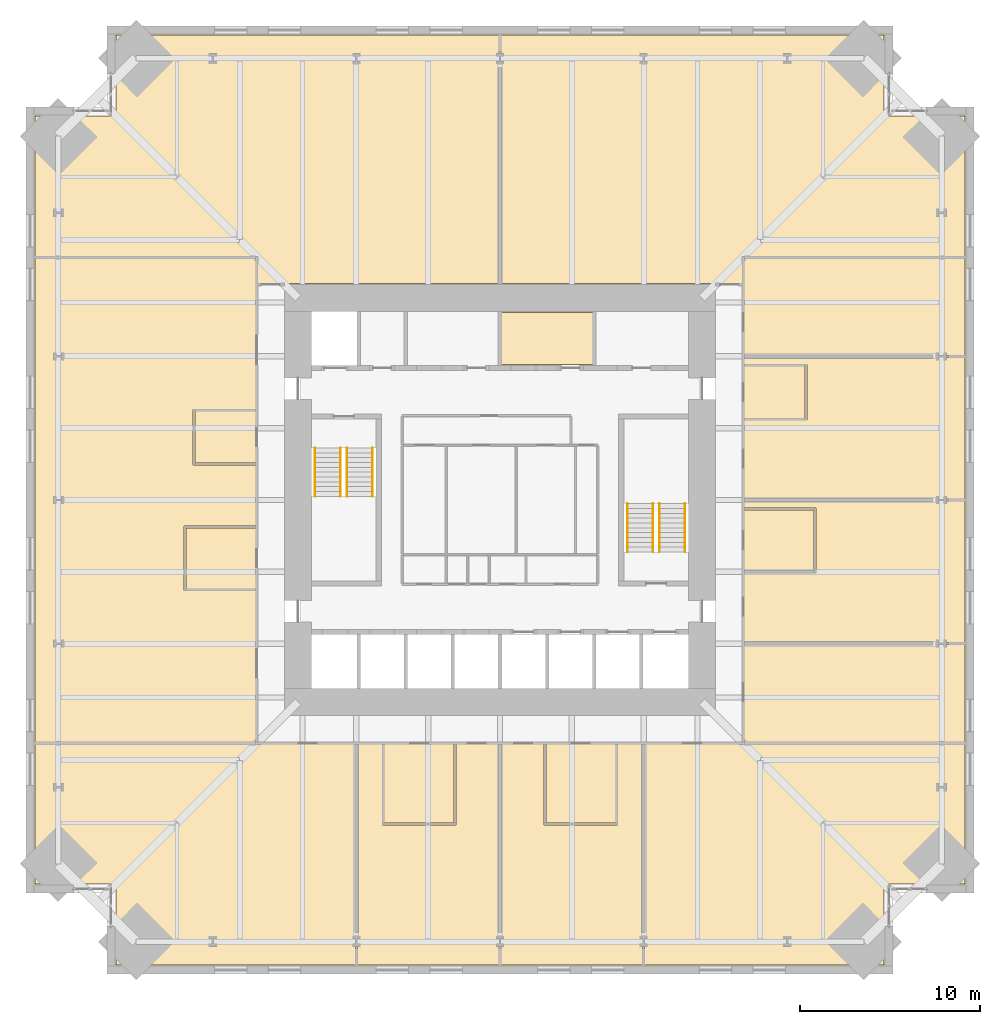
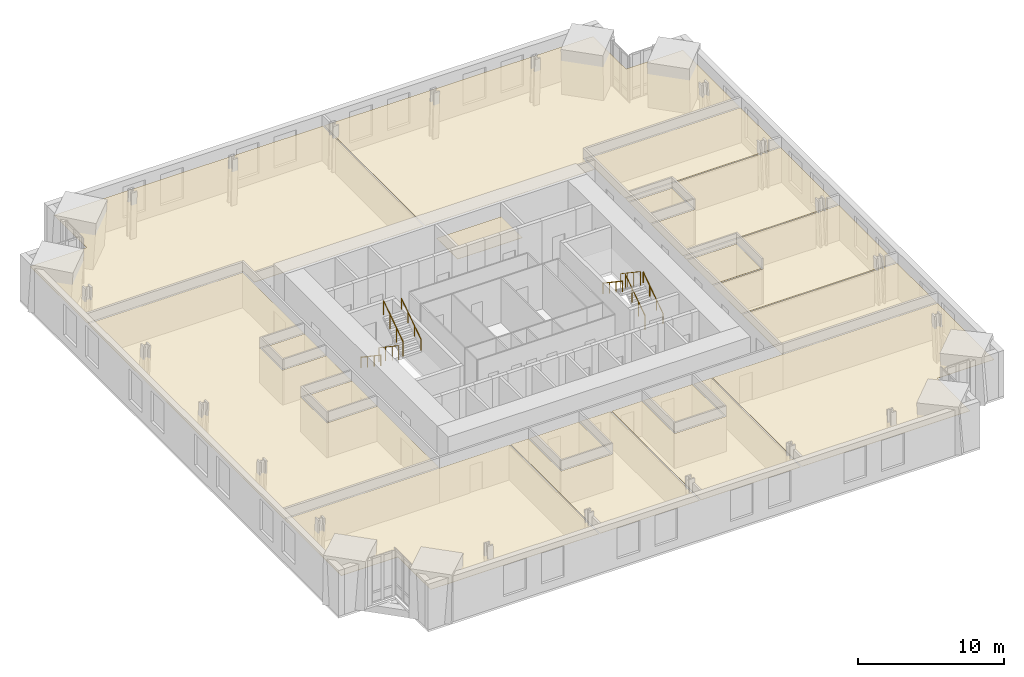
# One storey, part 18 of 18: 18 coverings, 8 railings.
"""IFC4 building model written with IfcOpenShell, lengths in metres."""

from ifc_helpers import new_model, si_unit, direction, frame, origin, origin_2d, place, context, subcontext, project, spatial, polyline, circle, outline, extrude, material, layer, layer_set, type_object, element, save


model = new_model("IFC4")

# Units and contexts
model_context = context("Model", 3, precision=1e-05, world=origin(), true_north=direction((0.0, 1.0)))
body_context = subcontext(model_context, "Body", "Model", "MODEL_VIEW")
ifc_project = project(units=[si_unit("LENGTHUNIT", "METRE"), si_unit("AREAUNIT", "SQUARE_METRE"), si_unit("VOLUMEUNIT", "CUBIC_METRE"), si_unit("PLANEANGLEUNIT", "RADIAN"), si_unit("MASSUNIT", "GRAM", prefix="KILO")], contexts=[model_context])

# Site, building, storey
site_placement = place(None, origin())
site = spatial("IfcSite", under=ifc_project, at=site_placement, CompositionType="ELEMENT")
building_placement = place(site_placement, origin())
building = spatial("IfcBuilding", under=site, at=building_placement, Name="Peilmerk Tower", CompositionType="ELEMENT")
storey_placement = place(building_placement, frame((0.0, 0.0, 155.800048828125)))
storey = spatial("IfcBuildingStorey", under=building, at=storey_placement, Name="L32", CompositionType="ELEMENT", Elevation=155.800048828125)

# Coverings
ifc_material_1 = material(Name="Mineral fibre ceiling tiles", Category="mineral")
ifc_layer = layer(ifc_material_1, 0.02490234375)
ifc_layer_set = layer_set([ifc_layer], Name="Mineral fibre ceiling tiles")
covering_type = type_object("IfcCoveringType", Name="CL1 25 suspended ceiling", PredefinedType="CEILING", material=ifc_layer_set)
covering_1_placement = place(storey_placement, frame((0.0, 0.0, 2.905029296875)))
element("IfcCovering", 1, at=covering_1_placement, inside=storey, type_object=covering_type, Name="Suspended ceiling Open workspace", PredefinedType="CEILING", context=body_context, shape_type="SweptSolid", body=[
    extrude(outline(polyline([(-25.89990234375, 21.39990234375), (-25.89990234375, 13.550048828125), (-13.5, 13.550048828125), (-13.5, 12.050048828125), (-0.050048828125, 12.050048828125), (-0.050048828125, 25.89990234375), (-21.39990234375, 25.89990234375), (-21.39990234375, 21.39990234375), (-25.89990234375, 21.39990234375)])), origin(), (0.0, 0.0, 1.0), 0.02490234375),
])
covering_2_placement = place(storey_placement, frame((0.0, 0.0, 2.905029296875)))
element("IfcCovering", 2, at=covering_2_placement, inside=storey, type_object=covering_type, Name="Suspended ceiling Project room", PredefinedType="CEILING", context=body_context, shape_type="SweptSolid", body=[
    extrude(outline(polyline([(21.39990234375, 25.89990234375), (0.050048828125, 25.89990234375), (0.050048828125, 12.050048828125), (13.5, 12.050048828125), (13.5, 13.550048828125), (25.89990234375, 13.550048828125), (25.89990234375, 21.39990234375), (21.39990234375, 21.39990234375), (21.39990234375, 25.89990234375)])), origin(), (0.0, 0.0, 1.0), 0.02490234375),
])
covering_3_placement = place(storey_placement, frame((0.0, 0.0, 2.905029296875)))
element("IfcCovering", 3, at=covering_3_placement, inside=storey, type_object=covering_type, Name="Suspended ceiling Office", PredefinedType="CEILING", context=body_context, shape_type="SweptSolid", body=[
    extrude(outline(polyline([(-21.39990234375, -25.89990234375), (-8.050048828125, -25.89990234375), (-8.050048828125, -13.60009765625), (-25.89990234375, -13.60009765625), (-25.89990234375, -21.39990234375), (-21.39990234375, -21.39990234375), (-21.39990234375, -25.89990234375)])), origin(), (0.0, 0.0, 1.0), 0.02490234375),
])
covering_4_placement = place(storey_placement, frame((0.0, 0.0, 2.905029296875)))
element("IfcCovering", 4, at=covering_4_placement, inside=storey, type_object=covering_type, Name="Suspended ceiling Office", PredefinedType="CEILING", context=body_context, shape_type="SweptSolid", body=[
    extrude(outline(polyline([(-7.949951171875, -13.60009765625), (-7.949951171875, -25.89990234375), (-0.050048828125, -25.89990234375), (-0.050048828125, -13.60009765625), (-2.449951171875, -13.60009765625), (-2.449951171875, -18.10009765625), (-6.550048828125, -18.10009765625), (-6.550048828125, -13.60009765625), (-7.949951171875, -13.60009765625)])), origin(), (0.0, 0.0, 1.0), 0.02490234375),
])
covering_5_placement = place(storey_placement, frame((0.0, 0.0, 2.905029296875)))
element("IfcCovering", 5, at=covering_5_placement, inside=storey, type_object=covering_type, Name="Suspended ceiling Project room", PredefinedType="CEILING", context=body_context, shape_type="SweptSolid", body=[
    extrude(outline(polyline([(0.050048828125, -13.60009765625), (0.050048828125, -25.89990234375), (7.949951171875, -25.89990234375), (7.949951171875, -13.60009765625), (6.550048828125, -13.60009765625), (6.550048828125, -18.10009765625), (2.449951171875, -18.10009765625), (2.449951171875, -13.60009765625), (0.050048828125, -13.60009765625)])), origin(), (0.0, 0.0, 1.0), 0.02490234375),
])
covering_6_placement = place(storey_placement, frame((0.0, 0.0, 2.905029296875)))
element("IfcCovering", 6, at=covering_6_placement, inside=storey, type_object=covering_type, Name="Suspended ceiling Office", PredefinedType="CEILING", context=body_context, shape_type="SweptSolid", body=[
    extrude(outline(polyline([(8.050048828125, -25.89990234375), (21.39990234375, -25.89990234375), (21.39990234375, -21.39990234375), (25.89990234375, -21.39990234375), (25.89990234375, -13.60009765625), (8.050048828125, -13.60009765625), (8.050048828125, -25.89990234375)])), origin(), (0.0, 0.0, 1.0), 0.02490234375),
])
covering_7_placement = place(storey_placement, frame((0.0, 0.0, 2.905029296875)))
element("IfcCovering", 7, at=covering_7_placement, inside=storey, type_object=covering_type, Name="Suspended ceiling Meeting room", PredefinedType="CEILING", context=body_context, shape_type="SweptSolid", body=[
    extrude(outline(polyline([(-2.550048828125, -18.0), (-2.550048828125, -13.60009765625), (-6.449951171875, -13.60009765625), (-6.449951171875, -18.0), (-2.550048828125, -18.0)])), origin(), (0.0, 0.0, 1.0), 0.02490234375),
])
covering_8_placement = place(storey_placement, frame((0.0, 0.0, 2.905029296875)))
element("IfcCovering", 8, at=covering_8_placement, inside=storey, type_object=covering_type, Name="Suspended ceiling Meeting room", PredefinedType="CEILING", context=body_context, shape_type="SweptSolid", body=[
    extrude(outline(polyline([(6.449951171875, -18.0), (6.449951171875, -13.60009765625), (2.550048828125, -13.60009765625), (2.550048828125, -18.0), (6.449951171875, -18.0)])), origin(), (0.0, 0.0, 1.0), 0.02490234375),
])
covering_9_placement = place(storey_placement, frame((0.0, 0.0, 2.905029296875)))
element("IfcCovering", 9, at=covering_9_placement, inside=storey, type_object=covering_type, Name="Suspended ceiling Quiet room", PredefinedType="CEILING", context=body_context, shape_type="SweptSolid", body=[
    extrude(outline(polyline([(25.89990234375, -13.5), (25.89990234375, -8.050048828125), (13.60009765625, -8.050048828125), (13.60009765625, -13.5), (25.89990234375, -13.5)])), origin(), (0.0, 0.0, 1.0), 0.02490234375),
])
covering_10_placement = place(storey_placement, frame((0.0, 0.0, 2.905029296875)))
element("IfcCovering", 10, at=covering_10_placement, inside=storey, type_object=covering_type, Name="Suspended ceiling Office", PredefinedType="CEILING", context=body_context, shape_type="SweptSolid", body=[
    extrude(outline(polyline([(13.60009765625, -7.949951171875), (25.89990234375, -7.949951171875), (25.89990234375, -0.050048828125), (13.60009765625, -0.050048828125), (13.60009765625, -0.449951171875), (17.60009765625, -0.449951171875), (17.60009765625, -4.050048828125), (13.60009765625, -4.050048828125), (13.60009765625, -7.949951171875)])), origin(), (0.0, 0.0, 1.0), 0.02490234375),
])
covering_11_placement = place(storey_placement, frame((0.0, 0.0, 2.905029296875)))
element("IfcCovering", 11, at=covering_11_placement, inside=storey, type_object=covering_type, Name="Suspended ceiling Office", PredefinedType="CEILING", context=body_context, shape_type="SweptSolid", body=[
    extrude(outline(polyline([(13.60009765625, 0.050048828125), (25.89990234375, 0.050048828125), (25.89990234375, 7.949951171875), (13.60009765625, 7.949951171875), (13.60009765625, 7.550048828125), (17.10009765625, 7.550048828125), (17.10009765625, 4.449951171875), (13.60009765625, 4.449951171875), (13.60009765625, 0.050048828125)])), origin(), (0.0, 0.0, 1.0), 0.02490234375),
])
covering_12_placement = place(storey_placement, frame((0.0, 0.0, 2.905029296875)))
element("IfcCovering", 12, at=covering_12_placement, inside=storey, type_object=covering_type, Name="Suspended ceiling Wellness room", PredefinedType="CEILING", context=body_context, shape_type="SweptSolid", body=[
    extrude(outline(polyline([(25.89990234375, 8.050048828125), (25.89990234375, 13.449951171875), (13.60009765625, 13.449951171875), (13.60009765625, 8.050048828125), (25.89990234375, 8.050048828125)])), origin(), (0.0, 0.0, 1.0), 0.02490234375),
])
covering_13_placement = place(storey_placement, frame((0.0, 0.0, 2.905029296875)))
element("IfcCovering", 13, at=covering_13_placement, inside=storey, type_object=covering_type, Name="Suspended ceiling Focus room", PredefinedType="CEILING", context=body_context, shape_type="SweptSolid", body=[
    extrude(outline(polyline([(17.0, 4.550048828125), (17.0, 7.449951171875), (13.60009765625, 7.449951171875), (13.60009765625, 4.550048828125), (17.0, 4.550048828125)])), origin(), (0.0, 0.0, 1.0), 0.02490234375),
])
covering_14_placement = place(storey_placement, frame((0.0, 0.0, 2.905029296875)))
element("IfcCovering", 14, at=covering_14_placement, inside=storey, type_object=covering_type, Name="Suspended ceiling Meeting room", PredefinedType="CEILING", context=body_context, shape_type="SweptSolid", body=[
    extrude(outline(polyline([(17.5, -3.949951171875), (17.5, -0.550048828125), (13.60009765625, -0.550048828125), (13.60009765625, -3.949951171875), (17.5, -3.949951171875)])), origin(), (0.0, 0.0, 1.0), 0.02490234375),
])
covering_15_placement = place(storey_placement, frame((0.0, 0.0, 2.905029296875)))
element("IfcCovering", 15, at=covering_15_placement, inside=storey, type_object=covering_type, Name="Suspended ceiling Open workspace", PredefinedType="CEILING", context=body_context, shape_type="SweptSolid", body=[
    extrude(outline(polyline([(-13.60009765625, 13.449951171875), (-25.89990234375, 13.449951171875), (-25.89990234375, -13.5), (-13.60009765625, -13.5), (-13.60009765625, -5.050048828125), (-17.60009765625, -5.050048828125), (-17.60009765625, -1.449951171875), (-13.60009765625, -1.449951171875), (-13.60009765625, 1.949951171875), (-17.10009765625, 1.949951171875), (-17.10009765625, 5.050048828125), (-13.60009765625, 5.050048828125), (-13.60009765625, 13.449951171875)])), origin(), (0.0, 0.0, 1.0), 0.02490234375),
])
covering_16_placement = place(storey_placement, frame((0.0, 0.0, 2.905029296875)))
element("IfcCovering", 16, at=covering_16_placement, inside=storey, type_object=covering_type, Name="Suspended ceiling Pantry", PredefinedType="CEILING", context=body_context, shape_type="SweptSolid", body=[
    extrude(outline(polyline([(-13.60009765625, -4.949951171875), (-13.60009765625, -1.550048828125), (-17.5, -1.550048828125), (-17.5, -4.949951171875), (-13.60009765625, -4.949951171875)])), origin(), (0.0, 0.0, 1.0), 0.02490234375),
])
covering_17_placement = place(storey_placement, frame((0.0, 0.0, 2.905029296875)))
element("IfcCovering", 17, at=covering_17_placement, inside=storey, type_object=covering_type, Name="Suspended ceiling Focus room", PredefinedType="CEILING", context=body_context, shape_type="SweptSolid", body=[
    extrude(outline(polyline([(-13.60009765625, 2.050048828125), (-13.60009765625, 4.949951171875), (-17.0, 4.949951171875), (-17.0, 2.050048828125), (-13.60009765625, 2.050048828125)])), origin(), (0.0, 0.0, 1.0), 0.02490234375),
])
covering_18_placement = place(storey_placement, frame((0.0, 0.0, 2.824951171875)))
element("IfcCovering", 18, at=covering_18_placement, inside=storey, type_object=covering_type, Name="Suspended ceiling Back-of-house office", PredefinedType="CEILING", context=body_context, shape_type="SweptSolid", body=[
    extrude(outline(polyline([(0.051025390625, 7.551025390625), (5.198974609375, 7.551025390625), (5.198974609375, 10.448974609375), (0.051025390625, 10.448974609375), (0.051025390625, 7.551025390625)])), origin(), (0.0, 0.0, 1.0), 0.02490234375),
])

# Railings
ifc_material_2 = material(Name="Steel flat bar balustrade", Category="steel")
railing_type_1 = type_object("IfcRailingType", Name="GR1 1200 stair guard", PredefinedType="GUARDRAIL", material=ifc_material_2)
railing_1_placement = place(storey_placement, frame((-8.8798828125, 2.89990234375, 0.181884765625)))
element("IfcRailing", 19, at=railing_1_placement, inside=storey, type_object=railing_type_1, Name="Guard stair 1 L32", PredefinedType="GUARDRAIL", context=body_context, shape_type="SweptSolid", body=[
    extrude(circle(Radius=0.02392578125, at=origin_2d()), frame((0.0, 0.0, 1.17578125), z_axis=(0.0, -0.829468130872, 0.55855404382), x_axis=(1.0, 0.0, 0.0)), (0.0, 0.0, 1.0), 3.255126953125),
    extrude(circle(Radius=0.02099609375, at=origin_2d()), origin(), (0.0, 0.0, 1.0), 1.15185546875),
    extrude(circle(Radius=0.02099609375, at=origin_2d()), frame((0.0, -0.89990234375, 0.60595703125)), (0.0, 0.0, 1.0), 1.15185546875),
    extrude(circle(Radius=0.02099609375, at=origin_2d()), frame((0.0, -1.800048828125, 1.212158203125)), (0.0, 0.0, 1.0), 1.15185546875),
    extrude(circle(Radius=0.02099609375, at=origin_2d()), frame((0.0, -2.699951171875, 1.818115234375)), (0.0, 0.0, 1.0), 1.15185546875),
])
for number, where, name in (
    (20, (-8.52001953125, 0.199951171875, 2.181884765625), "Guard stair 1 L32"),
    (21, (8.8798828125, -2.89990234375, 0.181884765625), "Guard stair 2 L32"),
):
    element("IfcRailing", number, at=place(storey_placement, frame(where)), inside=storey, type_object=railing_type_1, Name=name, PredefinedType="GUARDRAIL", context=body_context, shape_type="SweptSolid", body=[
        extrude(circle(Radius=0.02392578125, at=origin_2d()), frame((0.0, 0.0, 1.17578125), z_axis=(0.0, 0.829468130872, 0.55855404382), x_axis=(-1.0, 0.0, 0.0)), (0.0, 0.0, 1.0), 3.255126953125),
        extrude(circle(Radius=0.02099609375, at=origin_2d()), origin(), (0.0, 0.0, 1.0), 1.15185546875),
        extrude(circle(Radius=0.02099609375, at=origin_2d()), frame((0.0, 0.89990234375, 0.60595703125)), (0.0, 0.0, 1.0), 1.15185546875),
        extrude(circle(Radius=0.02099609375, at=origin_2d()), frame((0.0, 1.800048828125, 1.212158203125)), (0.0, 0.0, 1.0), 1.15185546875),
        extrude(circle(Radius=0.02099609375, at=origin_2d()), frame((0.0, 2.699951171875, 1.818115234375)), (0.0, 0.0, 1.0), 1.15185546875),
    ])
railing_2_placement = place(storey_placement, frame((8.52001953125, -0.199951171875, 2.181884765625)))
element("IfcRailing", 22, at=railing_2_placement, inside=storey, type_object=railing_type_1, Name="Guard stair 2 L32", PredefinedType="GUARDRAIL", context=body_context, shape_type="SweptSolid", body=[
    extrude(circle(Radius=0.02392578125, at=origin_2d()), frame((0.0, 0.0, 1.17578125), z_axis=(0.0, -0.829468130872, 0.55855404382), x_axis=(1.0, 0.0, 0.0)), (0.0, 0.0, 1.0), 3.255126953125),
    extrude(circle(Radius=0.02099609375, at=origin_2d()), origin(), (0.0, 0.0, 1.0), 1.15185546875),
    extrude(circle(Radius=0.02099609375, at=origin_2d()), frame((0.0, -0.89990234375, 0.60595703125)), (0.0, 0.0, 1.0), 1.15185546875),
    extrude(circle(Radius=0.02099609375, at=origin_2d()), frame((0.0, -1.800048828125, 1.212158203125)), (0.0, 0.0, 1.0), 1.15185546875),
    extrude(circle(Radius=0.02099609375, at=origin_2d()), frame((0.0, -2.699951171875, 1.818115234375)), (0.0, 0.0, 1.0), 1.15185546875),
])
ifc_material_3 = material(Name="Stainless steel tube", Category="steel")
railing_type_2 = type_object("IfcRailingType", Name="HR1 900 stair handrail", PredefinedType="HANDRAIL", material=ifc_material_3)
railing_3_placement = place(storey_placement, frame((-10.300048828125, 2.89990234375, 0.181884765625)))
element("IfcRailing", 23, at=railing_3_placement, inside=storey, type_object=railing_type_2, Name="Handrail stair 1 L32", PredefinedType="HANDRAIL", context=body_context, shape_type="SweptSolid", body=[
    extrude(circle(Radius=0.02392578125, at=origin_2d()), frame((0.0, 0.0, 0.8759765625), z_axis=(0.0, -0.829468130872, 0.55855404382), x_axis=(1.0, 0.0, 0.0)), (0.0, 0.0, 1.0), 3.255126953125),
    extrude(circle(Radius=0.02099609375, at=origin_2d()), origin(), (0.0, 0.0, 1.0), 0.851806640625),
    extrude(circle(Radius=0.02099609375, at=origin_2d()), frame((0.0, -0.89990234375, 0.60595703125)), (0.0, 0.0, 1.0), 0.851806640625),
    extrude(circle(Radius=0.02099609375, at=origin_2d()), frame((0.0, -1.800048828125, 1.212158203125)), (0.0, 0.0, 1.0), 0.851806640625),
    extrude(circle(Radius=0.02099609375, at=origin_2d()), frame((0.0, -2.699951171875, 1.818115234375)), (0.0, 0.0, 1.0), 0.851806640625),
])
for number, where, name in (
    (24, (-7.10009765625, 0.199951171875, 2.181884765625), "Handrail stair 1 L32"),
    (25, (10.300048828125, -2.89990234375, 0.181884765625), "Handrail stair 2 L32"),
):
    element("IfcRailing", number, at=place(storey_placement, frame(where)), inside=storey, type_object=railing_type_2, Name=name, PredefinedType="HANDRAIL", context=body_context, shape_type="SweptSolid", body=[
        extrude(circle(Radius=0.02392578125, at=origin_2d()), frame((0.0, 0.0, 0.8759765625), z_axis=(0.0, 0.829468130872, 0.55855404382), x_axis=(-1.0, 0.0, 0.0)), (0.0, 0.0, 1.0), 3.255126953125),
        extrude(circle(Radius=0.02099609375, at=origin_2d()), origin(), (0.0, 0.0, 1.0), 0.851806640625),
        extrude(circle(Radius=0.02099609375, at=origin_2d()), frame((0.0, 0.89990234375, 0.60595703125)), (0.0, 0.0, 1.0), 0.851806640625),
        extrude(circle(Radius=0.02099609375, at=origin_2d()), frame((0.0, 1.800048828125, 1.212158203125)), (0.0, 0.0, 1.0), 0.851806640625),
        extrude(circle(Radius=0.02099609375, at=origin_2d()), frame((0.0, 2.699951171875, 1.818115234375)), (0.0, 0.0, 1.0), 0.851806640625),
    ])
railing_4_placement = place(storey_placement, frame((7.10009765625, -0.199951171875, 2.181884765625)))
element("IfcRailing", 26, at=railing_4_placement, inside=storey, type_object=railing_type_2, Name="Handrail stair 2 L32", PredefinedType="HANDRAIL", context=body_context, shape_type="SweptSolid", body=[
    extrude(circle(Radius=0.02392578125, at=origin_2d()), frame((0.0, 0.0, 0.8759765625), z_axis=(0.0, -0.829468130872, 0.55855404382), x_axis=(1.0, 0.0, 0.0)), (0.0, 0.0, 1.0), 3.255126953125),
    extrude(circle(Radius=0.02099609375, at=origin_2d()), origin(), (0.0, 0.0, 1.0), 0.851806640625),
    extrude(circle(Radius=0.02099609375, at=origin_2d()), frame((0.0, -0.89990234375, 0.60595703125)), (0.0, 0.0, 1.0), 0.851806640625),
    extrude(circle(Radius=0.02099609375, at=origin_2d()), frame((0.0, -1.800048828125, 1.212158203125)), (0.0, 0.0, 1.0), 0.851806640625),
    extrude(circle(Radius=0.02099609375, at=origin_2d()), frame((0.0, -2.699951171875, 1.818115234375)), (0.0, 0.0, 1.0), 0.851806640625),
])

save(model, "model.ifc")
